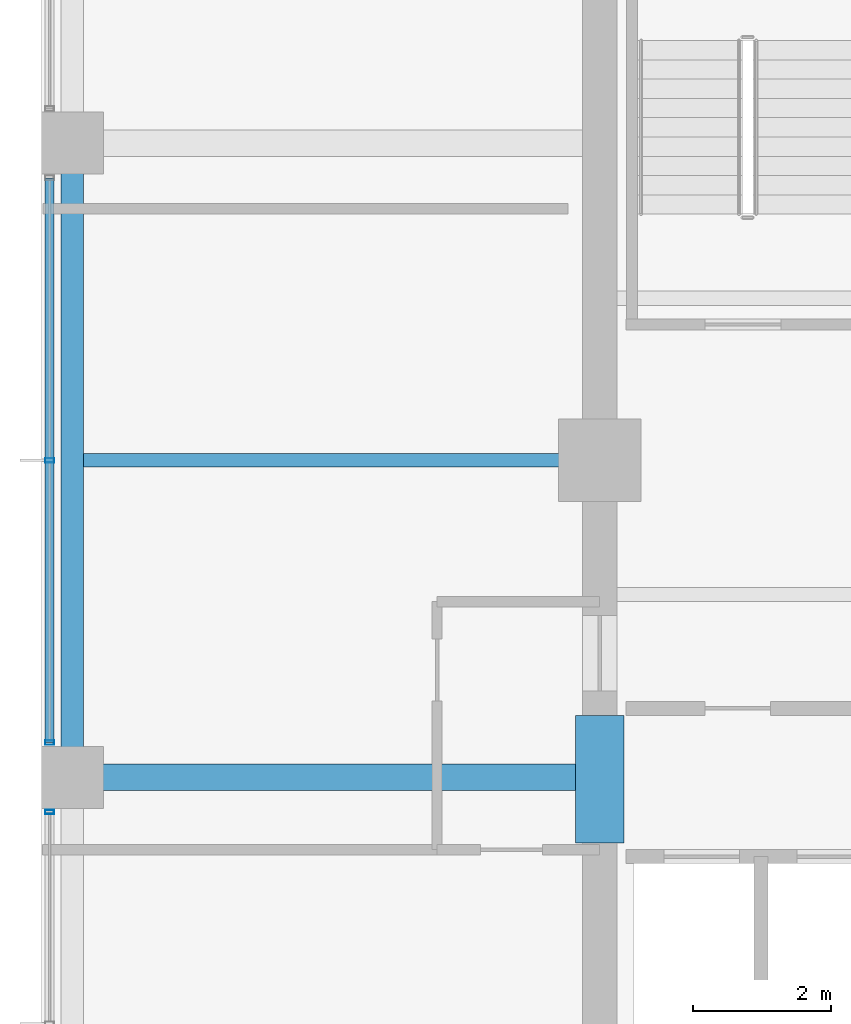
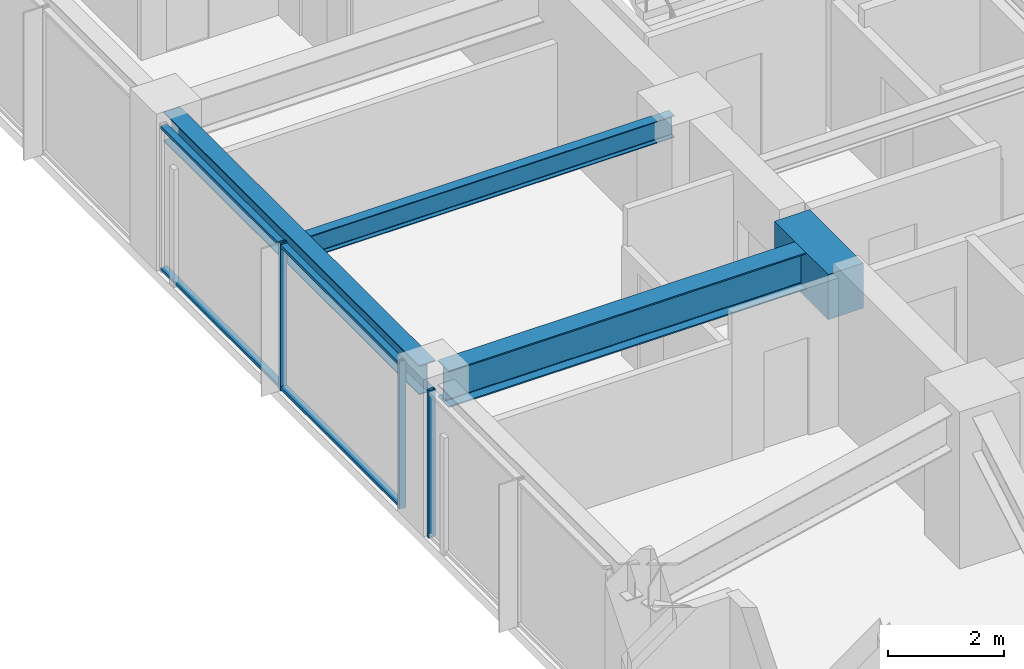
# One storey, part 9 of 31: 5 members, 4 beams, 2 elements without a shape of their own.
"""IFC4 building model written with IfcOpenShell, lengths in metres."""

from ifc_helpers import new_model, si_unit, direction, frame, origin, origin_2d, place, context, subcontext, project, spatial, rectangle, hollow_rectangle, i_section, extrude, material, material_profile, profile_set, type_object, element, aggregate, save


model = new_model("IFC4")

# Units and contexts
model_context = context("Model", 3, precision=1e-05, world=origin(), true_north=direction((0.0, 1.0)))
body_context = subcontext(model_context, "Body", "Model", "MODEL_VIEW")
ifc_project = project(units=[si_unit("LENGTHUNIT", "METRE"), si_unit("AREAUNIT", "SQUARE_METRE"), si_unit("VOLUMEUNIT", "CUBIC_METRE"), si_unit("PLANEANGLEUNIT", "RADIAN"), si_unit("MASSUNIT", "GRAM", prefix="KILO")], contexts=[model_context])

# Site, building, storey
site_placement = place(None, origin())
site = spatial("IfcSite", under=ifc_project, at=site_placement, CompositionType="ELEMENT")
building_placement = place(site_placement, origin())
building = spatial("IfcBuilding", under=site, at=building_placement, Name="Kolvaren Belvedere", CompositionType="ELEMENT")
storey_placement = place(building_placement, frame((0.0, 0.0, 131.60009765625)))
storey = spatial("IfcBuildingStorey", under=building, at=storey_placement, Name="L38", CompositionType="ELEMENT", Elevation=131.60009765625)

# Beams
ifc_material_1 = material(Name="Structural steel ASTM A992 Grade 50", Category="steel")
ifc_material_profile_1 = material_profile(ifc_material_1, i_section(OverallWidth=0.381103515625, OverallDepth=0.77294921875, WebThickness=0.0166015625, FlangeThickness=0.027099609375, FilletRadius=0.02392578125, at=origin_2d()), Name="W30X173")
ifc_profile_set_1 = profile_set([ifc_material_profile_1], Name="Structural steel ASTM A992 Grade 50")
beam_type_1 = type_object("IfcBeamType", Name="BM-GIRD-W30X173", PredefinedType="BEAM", material=ifc_profile_set_1)
beam_1_placement = place(storey_placement, frame((-10.14990234375, -4.60009765625, 2.71337890625), z_axis=(-1.0, 0.0, 0.0), x_axis=(0.0, -1.0, 0.0)))
element("IfcBeam", 1, at=beam_1_placement, inside=storey, type_object=beam_type_1, Name="L38 West Radial Girder M", PredefinedType="BEAM", context=body_context, shape_type="SweptSolid", body=[
    extrude(i_section(OverallWidth=0.381103515625, OverallDepth=0.77294921875, WebThickness=0.0166015625, FlangeThickness=0.027099609375, FilletRadius=0.02392578125, at=origin_2d()), origin(), (0.0, 0.0, 1.0), 7.197509765625),
])
ifc_material_2 = material(Name="Structural steel ASTM A992 Grade 50", Category="steel")
ifc_material_profile_2 = material_profile(ifc_material_2, i_section(OverallWidth=0.19091796875, OverallDepth=0.4599609375, WebThickness=0.010009765625, FlangeThickness=0.01611328125, FilletRadius=0.014892578125, at=origin_2d()), Name="W18X55")
ifc_profile_set_2 = profile_set([ifc_material_profile_2], Name="Structural steel ASTM A992 Grade 50")
beam_type_2 = type_object("IfcBeamType", Name="BM-JOIST-W18X55", PredefinedType="BEAM", material=ifc_profile_set_2)
beam_2_placement = place(storey_placement, frame((-10.14990234375, 0.0, 2.869873046875), z_axis=(-1.0, 0.0, 0.0), x_axis=(0.0, -1.0, 0.0)))
element("IfcBeam", 2, at=beam_2_placement, inside=storey, type_object=beam_type_2, Name="L38 West Centre Floor Beam", PredefinedType="BEAM", context=body_context, shape_type="SweptSolid", body=[
    extrude(i_section(OverallWidth=0.19091796875, OverallDepth=0.4599609375, WebThickness=0.010009765625, FlangeThickness=0.01611328125, FilletRadius=0.014892578125, at=origin_2d()), origin(), (0.0, 0.0, 1.0), 7.237548828125),
])
ifc_material_3 = material(Name="Concrete C60/75", Category="concrete")
ifc_material_profile_3 = material_profile(ifc_material_3, rectangle(XDim=0.699951171875, YDim=0.949951171875, at=origin_2d()), Name="RC 700X950")
ifc_profile_set_3 = profile_set([ifc_material_profile_3], Name="Concrete C60/75")
beam_type_3 = type_object("IfcBeamType", Name="BM-LINT-950", PredefinedType="LINTEL", material=ifc_profile_set_3)
beam_3_placement = place(storey_placement, frame((-9.89990234375, -5.550048828125, 2.625), z_axis=(0.0, 1.0, 0.0), x_axis=(-1.0, 0.0, 0.0)))
element("IfcBeam", 3, at=beam_3_placement, inside=storey, type_object=beam_type_3, Name="L38 West Core Coupling Lintel", PredefinedType="LINTEL", context=body_context, shape_type="SweptSolid", body=[
    extrude(rectangle(XDim=0.699951171875, YDim=0.949951171875, at=origin_2d()), origin(), (0.0, 0.0, 1.0), 1.85009765625),
])
ifc_material_4 = material(Name="Structural steel ASTM A992 Grade 50", Category="steel")
ifc_material_profile_4 = material_profile(ifc_material_4, i_section(OverallWidth=0.324951171875, OverallDepth=0.615966796875, WebThickness=0.013916015625, FlangeThickness=0.021484375, FilletRadius=0.02001953125, at=origin_2d()), Name="W24X117")
ifc_profile_set_4 = profile_set([ifc_material_profile_4], Name="Structural steel ASTM A992 Grade 50")
beam_type_4 = type_object("IfcBeamType", Name="BM-SPAN-W24X117", PredefinedType="SPANDREL", material=ifc_profile_set_4)
beam_4_placement = place(storey_placement, frame((-17.550048828125, 4.3974609375, 2.7919921875), z_axis=(0.0, -1.0, 0.0), x_axis=(1.0, 0.0, 0.0)))
element("IfcBeam", 4, at=beam_4_placement, inside=storey, type_object=beam_type_4, Name="L38 Perimeter Spandrel W3-W2", PredefinedType="SPANDREL", context=body_context, shape_type="SweptSolid", body=[
    extrude(i_section(OverallWidth=0.324951171875, OverallDepth=0.615966796875, WebThickness=0.013916015625, FlangeThickness=0.021484375, FilletRadius=0.02001953125, at=origin_2d()), origin(), (0.0, 0.0, 1.0), 8.794921875),
])

# Curtain wall, member
ifc_material_5 = material(Name="Anodised pale-metal aluminium AA 6063-T6", Category="aluminium")
curtain_wall_type = type_object("IfcCurtainWallType", Name="CW-Z3-WAIST", PredefinedType="NOTDEFINED", material=ifc_material_5)
curtain_wall_1_placement = place(storey_placement, origin())
curtain_wall_1 = element("IfcCurtainWall", 5, at=curtain_wall_1_placement, inside=storey, type_object=curtain_wall_type, Name="L38 Unitised Curtain Wall FCW-L38-W-B1", PredefinedType="NOTDEFINED")
ifc_material_6 = material(Name="Anodised pale-metal aluminium AA 6063-T6", Category="aluminium")
ifc_material_profile_5 = material_profile(ifc_material_6, hollow_rectangle(XDim=0.06494140625, YDim=0.1298828125, WallThickness=0.00390625, at=origin_2d()), Name="ALU-MUL-130X65")
ifc_profile_set_5 = profile_set([ifc_material_profile_5], Name="Anodised pale-metal aluminium AA 6063-T6")
member_type_1 = type_object("IfcMemberType", Name="CW-MUL-130", PredefinedType="MULLION", material=ifc_profile_set_5)
member_1_placement = place(storey_placement, frame((-17.8798828125, -5.1025390625, 0.0), z_axis=(0.0, 0.0, 1.0), x_axis=(0.0, 1.0, 0.0)))
member_1 = element("IfcMember", 6, at=member_1_placement, type_object=member_type_1, Name="FCW-L38-W-B1 Unitised Mullion 3", PredefinedType="MULLION", context=body_context, shape_type="SweptSolid", body=[
    extrude(hollow_rectangle(XDim=0.06494140625, YDim=0.1298828125, WallThickness=0.00390625, at=origin_2d()), origin(), (0.0, 0.0, 1.0), 3.099853515625),
])
aggregate(curtain_wall_1, [member_1])

# Curtain wall, members
curtain_wall_2_placement = place(storey_placement, origin())
curtain_wall_2 = element("IfcCurtainWall", 7, at=curtain_wall_2_placement, inside=storey, type_object=curtain_wall_type, Name="L38 Unitised Curtain Wall FCW-L38-W-B2", PredefinedType="NOTDEFINED")
member_2_placement = place(storey_placement, frame((-17.8798828125, -4.097412109375, 0.0), z_axis=(0.0, 0.0, 1.0), x_axis=(0.0, 1.0, 0.0)))
member_2 = element("IfcMember", 8, at=member_2_placement, type_object=member_type_1, Name="FCW-L38-W-B2 Unitised Mullion 1", PredefinedType="MULLION", context=body_context, shape_type="SweptSolid", body=[
    extrude(hollow_rectangle(XDim=0.06494140625, YDim=0.1298828125, WallThickness=0.00390625, at=origin_2d()), origin(), (0.0, 0.0, 1.0), 3.099853515625),
])
member_3_placement = place(storey_placement, frame((-17.8798828125, 0.0, 0.0), z_axis=(0.0, 0.0, 1.0), x_axis=(0.0, 1.0, 0.0)))
member_3 = element("IfcMember", 9, at=member_3_placement, type_object=member_type_1, Name="FCW-L38-W-B2 Unitised Mullion 2", PredefinedType="MULLION", context=body_context, shape_type="SweptSolid", body=[
    extrude(hollow_rectangle(XDim=0.06494140625, YDim=0.1298828125, WallThickness=0.00390625, at=origin_2d()), origin(), (0.0, 0.0, 1.0), 3.099853515625),
])
ifc_material_7 = material(Name="Anodised pale-metal aluminium AA 6063-T6", Category="aluminium")
ifc_material_profile_6 = material_profile(ifc_material_7, hollow_rectangle(XDim=0.06005859375, YDim=0.1298828125, WallThickness=0.00390625, at=origin_2d()), Name="ALU-TRN-130X60")
ifc_profile_set_6 = profile_set([ifc_material_profile_6], Name="Anodised pale-metal aluminium AA 6063-T6")
member_type_2 = type_object("IfcMemberType", Name="CW-TRN-130", PredefinedType="USERDEFINED", material=ifc_profile_set_6)
member_4_placement = place(storey_placement, frame((-17.8798828125, -4.097412109375, 0.059814453125), z_axis=(0.0, 1.0, 0.0), x_axis=(0.0, 0.0, 1.0)))
member_4 = element("IfcMember", 10, at=member_4_placement, type_object=member_type_2, Name="FCW-L38-W-B2 Sill Transom", ObjectType="TRANSOM", PredefinedType="USERDEFINED", context=body_context, shape_type="SweptSolid", body=[
    extrude(hollow_rectangle(XDim=0.06005859375, YDim=0.1298828125, WallThickness=0.00390625, at=origin_2d()), origin(), (0.0, 0.0, 1.0), 8.19482421875),
])
member_5_placement = place(storey_placement, frame((-17.8798828125, -4.097412109375, 3.039794921875), z_axis=(0.0, 1.0, 0.0), x_axis=(0.0, 0.0, 1.0)))
member_5 = element("IfcMember", 11, at=member_5_placement, type_object=member_type_2, Name="FCW-L38-W-B2 Head Transom", ObjectType="TRANSOM", PredefinedType="USERDEFINED", context=body_context, shape_type="SweptSolid", body=[
    extrude(hollow_rectangle(XDim=0.06005859375, YDim=0.1298828125, WallThickness=0.00390625, at=origin_2d()), origin(), (0.0, 0.0, 1.0), 8.19482421875),
])
aggregate(curtain_wall_2, [member_2, member_3, member_4, member_5])

save(model, "model.ifc")
